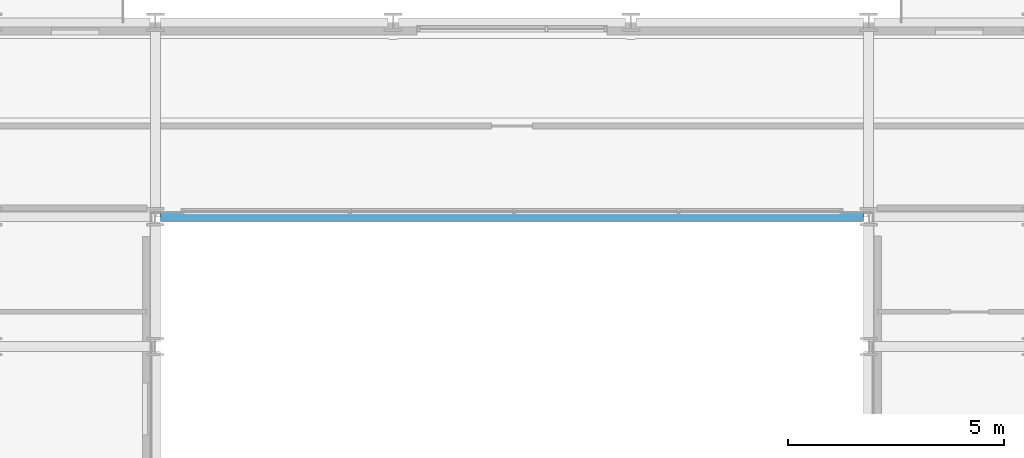
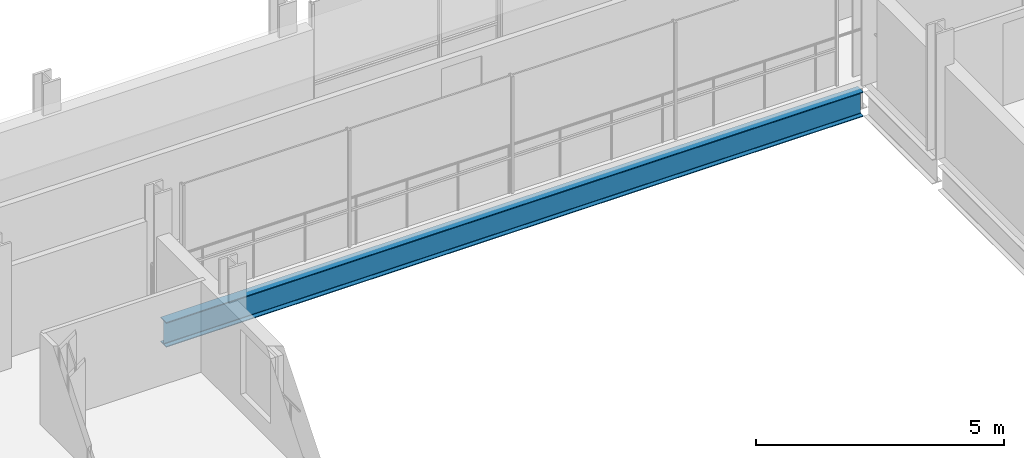
# One storey, part 10 of 39: 1 beam.
"""IFC4 building model written with IfcOpenShell, lengths in metres."""

from ifc_helpers import new_model, si_unit, direction, frame, origin, origin_2d, place, context, subcontext, project, spatial, i_section, extrude, material, material_profile, profile_set, type_object, element, save


model = new_model("IFC4")

# Units and contexts
model_context = context("Model", 3, precision=1e-05, world=origin(), true_north=direction((0.0, 1.0)))
body_context = subcontext(model_context, "Body", "Model", "MODEL_VIEW")
ifc_project = project(units=[si_unit("LENGTHUNIT", "METRE"), si_unit("AREAUNIT", "SQUARE_METRE"), si_unit("VOLUMEUNIT", "CUBIC_METRE"), si_unit("PLANEANGLEUNIT", "RADIAN"), si_unit("MASSUNIT", "GRAM", prefix="KILO")], contexts=[model_context])

# Site, building, storey
site_placement = place(None, origin())
site = spatial("IfcSite", under=ifc_project, at=site_placement, CompositionType="ELEMENT")
building_placement = place(site_placement, origin())
building = spatial("IfcBuilding", under=site, at=building_placement, Name="Brevholm Reach", CompositionType="ELEMENT")
storey_placement = place(building_placement, frame((0.0, 0.0, 115.89990234375)))
storey = spatial("IfcBuildingStorey", under=building, at=storey_placement, Name="L34", CompositionType="ELEMENT", Elevation=115.89990234375)

# Beam
ifc_material = material(Name="Structural Steel S355J2", Category="steel")
ifc_material_profile = material_profile(ifc_material, i_section(OverallWidth=0.22900390625, OverallDepth=0.6123046875, WebThickness=0.011962890625, FlangeThickness=0.01953125, FilletRadius=0.0126953125, at=origin_2d()), Name="UKB 610x229x125")
ifc_profile_set = profile_set([ifc_material_profile], Name="Structural Steel S355J2")
beam_type = type_object("IfcBeamType", Name="BM-SP610", PredefinedType="SPANDREL", material=ifc_profile_set)
beam_placement = place(storey_placement, frame((21.8701171875, 26.5, -0.526123046875), z_axis=(1.0, 0.0, 0.0), x_axis=(0.0, 1.0, 0.0)))
element("IfcBeam", 1, at=beam_placement, inside=storey, type_object=beam_type, Name="L34 SP-01 Framing Beam", PredefinedType="SPANDREL", context=body_context, shape_type="SweptSolid", body=[
    extrude(i_section(OverallWidth=0.22900390625, OverallDepth=0.6123046875, WebThickness=0.011962890625, FlangeThickness=0.01953125, FilletRadius=0.0126953125, at=origin_2d()), origin(), (0.0, 0.0, 1.0), 16.259765625),
])

save(model, "model.ifc")
